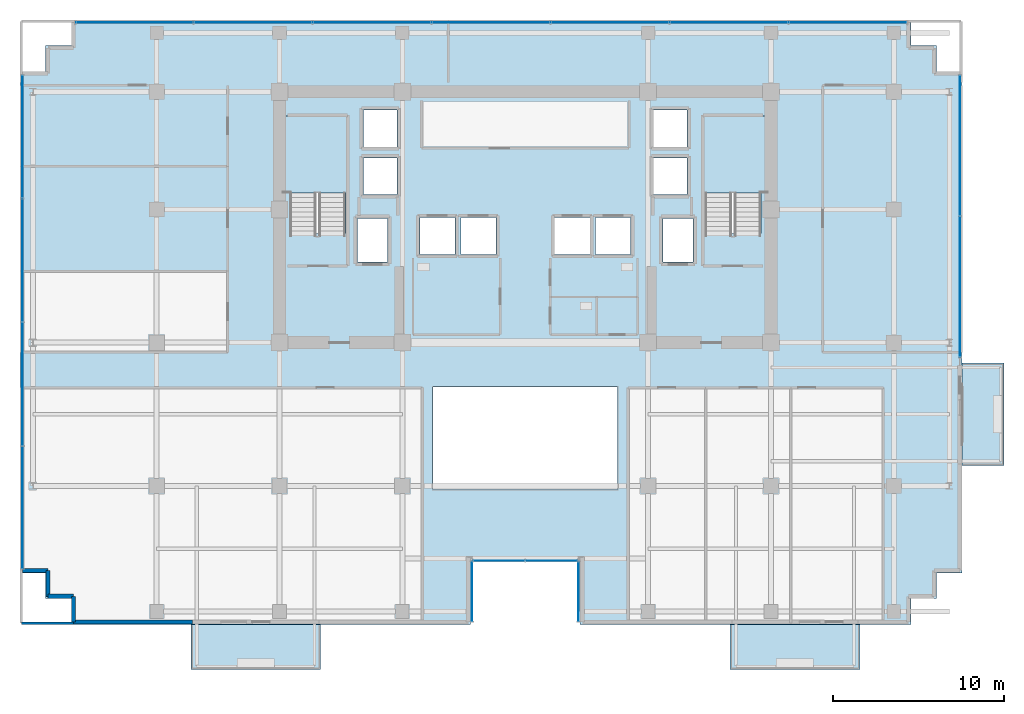
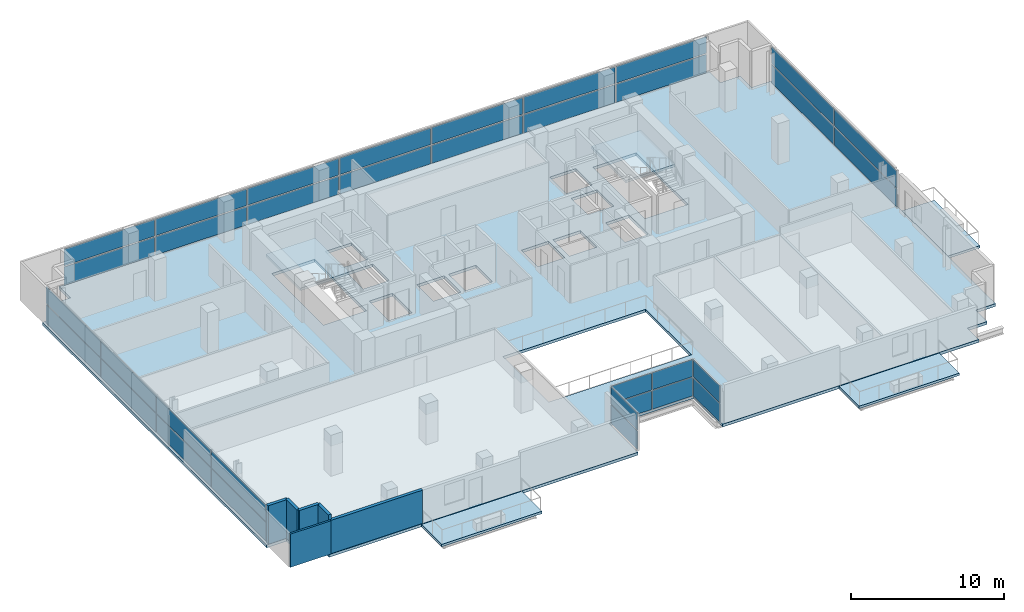
# One storey, part 18 of 27: 34 plates, 6 slabs, 6 walls, 8 elements without a shape of their own.
"""IFC4 building model written with IfcOpenShell, lengths in metres."""

from ifc_helpers import new_model, si_unit, direction, frame, frame_2d, origin, origin_2d, place, context, subcontext, project, spatial, polyline, rectangle, outline, extrude, source, transform, mapped, material, layer, layer_set, type_object, element, aggregate, save


model = new_model("IFC4")

# Units and contexts
model_context = context("Model", 3, precision=1e-05, world=origin(), true_north=direction((0.0, 1.0)))
body_context = subcontext(model_context, "Body", "Model", "MODEL_VIEW")
ifc_project = project(units=[si_unit("LENGTHUNIT", "METRE"), si_unit("AREAUNIT", "SQUARE_METRE"), si_unit("VOLUMEUNIT", "CUBIC_METRE"), si_unit("PLANEANGLEUNIT", "RADIAN"), si_unit("MASSUNIT", "GRAM", prefix="KILO")], contexts=[model_context])

# Site, building, storey
site_placement = place(None, origin())
site = spatial("IfcSite", under=ifc_project, at=site_placement, CompositionType="ELEMENT")
building_placement = place(site_placement, origin())
building = spatial("IfcBuilding", under=site, at=building_placement, Name="Zarnakvel Exchange Tower", CompositionType="ELEMENT")
storey_placement = place(building_placement, frame((0.0, 0.0, 106.60009765625)))
storey = spatial("IfcBuildingStorey", under=building, at=storey_placement, Name="L29", CompositionType="ELEMENT", Elevation=106.60009765625)

# Stair, slab
ifc_material_1 = material(Name="Concrete C40/50", Category="concrete")
stair_type = type_object("IfcStairType", Name="STR-01", PredefinedType="HALF_TURN_STAIR", material=ifc_material_1)
stair_1_placement = place(storey_placement, origin())
stair_1 = element("IfcStair", 1, at=stair_1_placement, inside=storey, type_object=stair_type, Name="L29 Protected Core Exit Stair ST-01", PredefinedType="HALF_TURN_STAIR")
ifc_layer_1 = layer(ifc_material_1, 0.199951171875)
ifc_layer_set_1 = layer_set([ifc_layer_1], Name="Concrete C40/50")
slab_type_1 = type_object("IfcSlabType", Name="LDG-01", PredefinedType="LANDING", material=ifc_layer_set_1)
slab_1_placement = place(storey_placement, frame((0.0, 0.0, 1.449951171875)))
slab_1 = element("IfcSlab", 2, at=slab_1_placement, type_object=slab_type_1, Name="ST-01 landing 1", PredefinedType="LANDING", context=body_context, shape_type="SweptSolid", body=[
    extrude(outline(polyline([(-14.18994140625, 7.570068359375), (-10.4599609375, 7.570068359375), (-10.4599609375, 12.080078125), (-14.18994140625, 12.080078125), (-14.18994140625, 7.570068359375)])), origin(), (0.0, 0.0, 1.0), 0.199951171875),
])
aggregate(stair_1, [slab_1])

stair_2_placement = place(storey_placement, origin())
stair_2 = element("IfcStair", 3, at=stair_2_placement, inside=storey, type_object=stair_type, Name="L29 Protected Core Exit Stair ST-02", PredefinedType="HALF_TURN_STAIR")
slab_2_placement = place(storey_placement, frame((0.0, 0.0, 1.449951171875)))
slab_2 = element("IfcSlab", 4, at=slab_2_placement, type_object=slab_type_1, Name="ST-02 landing 1", PredefinedType="LANDING", context=body_context, shape_type="SweptSolid", body=[
    extrude(outline(polyline([(10.4599609375, 7.570068359375), (14.18994140625, 7.570068359375), (14.18994140625, 12.080078125), (10.4599609375, 12.080078125), (10.4599609375, 7.570068359375)])), origin(), (0.0, 0.0, 1.0), 0.199951171875),
])
aggregate(stair_2, [slab_2])

# Slabs
ifc_layer_2 = layer(ifc_material_1, 0.22509765625)
ifc_layer_set_2 = layer_set([ifc_layer_2], Name="Concrete C40/50")
slab_type_2 = type_object("IfcSlabType", Name="SL-04", PredefinedType="FLOOR", material=ifc_layer_set_2)
slab_3_placement = place(storey_placement, frame((0.0, 0.0, -0.22509765625)))
element("IfcSlab", 5, at=slab_3_placement, inside=storey, type_object=slab_type_2, Name="L29 Primary Structural Floor Slab", PredefinedType="FLOOR", context=body_context, shape_type="SweptSolid", body=[
    extrude(outline(polyline([(-29.60009765625, -14.699951171875), (-28.10009765625, -14.699951171875), (-28.10009765625, -16.199951171875), (-26.60009765625, -16.199951171875), (-26.60009765625, -17.699951171875), (-3.199951171875, -17.699951171875), (-3.199951171875, -13.89990234375), (3.199951171875, -13.89990234375), (3.199951171875, -17.699951171875), (22.60009765625, -17.699951171875), (22.60009765625, -16.199951171875), (24.10009765625, -16.199951171875), (24.10009765625, -14.699951171875), (25.60009765625, -14.699951171875), (25.60009765625, 14.699951171875), (24.10009765625, 14.699951171875), (24.10009765625, 16.199951171875), (22.60009765625, 16.199951171875), (22.60009765625, 17.699951171875), (-26.60009765625, 17.699951171875), (-26.60009765625, 16.199951171875), (-28.10009765625, 16.199951171875), (-28.10009765625, 14.699951171875), (-29.60009765625, 14.699951171875), (-29.60009765625, -14.699951171875)]), holes=[polyline([(-5.39990234375, -9.800048828125), (5.39990234375, -9.800048828125), (5.39990234375, -3.800048828125), (-5.39990234375, -3.800048828125), (-5.39990234375, -9.800048828125)]), polyline([(-13.800048828125, 5.2099609375), (-10.5400390625, 5.2099609375), (-10.5400390625, 12.0), (-13.800048828125, 12.0), (-13.800048828125, 5.2099609375)]), polyline([(10.5400390625, 5.2099609375), (13.800048828125, 5.2099609375), (13.800048828125, 12.0), (10.5400390625, 12.0), (10.5400390625, 5.2099609375)]), polyline([(-9.830078125, 3.52001953125), (-8.070068359375, 3.52001953125), (-8.070068359375, 6.080078125), (-9.830078125, 6.080078125), (-9.830078125, 3.52001953125)]), polyline([(8.070068359375, 3.52001953125), (9.830078125, 3.52001953125), (9.830078125, 6.080078125), (8.070068359375, 6.080078125), (8.070068359375, 3.52001953125)]), polyline([(-6.179931640625, 3.969970703125), (-4.1201171875, 3.969970703125), (-4.1201171875, 6.1298828125), (-6.179931640625, 6.1298828125), (-6.179931640625, 3.969970703125)]), polyline([(-3.780029296875, 3.969970703125), (-1.719970703125, 3.969970703125), (-1.719970703125, 6.1298828125), (-3.780029296875, 6.1298828125), (-3.780029296875, 3.969970703125)]), polyline([(1.719970703125, 3.969970703125), (3.780029296875, 3.969970703125), (3.780029296875, 6.1298828125), (1.719970703125, 6.1298828125), (1.719970703125, 3.969970703125)]), polyline([(4.1201171875, 3.969970703125), (6.179931640625, 3.969970703125), (6.179931640625, 6.1298828125), (4.1201171875, 6.1298828125), (4.1201171875, 3.969970703125)]), polyline([(-9.47998046875, 7.469970703125), (-7.52001953125, 7.469970703125), (-7.52001953125, 9.6298828125), (-9.47998046875, 9.6298828125), (-9.47998046875, 7.469970703125)]), polyline([(-9.47998046875, 10.27001953125), (-7.52001953125, 10.27001953125), (-7.52001953125, 12.429931640625), (-9.47998046875, 12.429931640625), (-9.47998046875, 10.27001953125)]), polyline([(7.52001953125, 7.469970703125), (9.47998046875, 7.469970703125), (9.47998046875, 9.6298828125), (7.52001953125, 9.6298828125), (7.52001953125, 7.469970703125)]), polyline([(7.52001953125, 10.27001953125), (9.47998046875, 10.27001953125), (9.47998046875, 12.429931640625), (7.52001953125, 12.429931640625), (7.52001953125, 10.27001953125)])]), origin(), (0.0, 0.0, 1.0), 0.22509765625),
])
ifc_layer_3 = layer(ifc_material_1, 0.18994140625)
ifc_layer_set_3 = layer_set([ifc_layer_3], Name="Concrete C40/50")
slab_type_3 = type_object("IfcSlabType", Name="SL-08", PredefinedType="USERDEFINED", material=ifc_layer_set_3)
slab_4_placement = place(storey_placement, frame((0.0, 0.0, -0.22509765625)))
element("IfcSlab", 6, at=slab_4_placement, inside=storey, type_object=slab_type_3, Name="L29 Planted Loggia Balcony Slab BAL-L29-SW", ObjectType="BALCONY", PredefinedType="USERDEFINED", context=body_context, shape_type="SweptSolid", body=[
    extrude(outline(polyline([(-19.60009765625, -20.35009765625), (-12.0, -20.35009765625), (-12.0, -17.699951171875), (-19.60009765625, -17.699951171875), (-19.60009765625, -20.35009765625)])), origin(), (0.0, 0.0, 1.0), 0.18994140625),
])
slab_5_placement = place(storey_placement, frame((0.0, 0.0, -0.22509765625)))
element("IfcSlab", 7, at=slab_5_placement, inside=storey, type_object=slab_type_3, Name="L29 Planted Loggia Balcony Slab BAL-L29-SE", ObjectType="BALCONY", PredefinedType="USERDEFINED", context=body_context, shape_type="SweptSolid", body=[
    extrude(outline(polyline([(12.0, -20.35009765625), (19.60009765625, -20.35009765625), (19.60009765625, -17.699951171875), (12.0, -17.699951171875), (12.0, -20.35009765625)])), origin(), (0.0, 0.0, 1.0), 0.18994140625),
])
slab_6_placement = place(storey_placement, frame((0.0, 0.0, -0.22509765625)))
element("IfcSlab", 8, at=slab_6_placement, inside=storey, type_object=slab_type_3, Name="L29 Planted Loggia Balcony Slab BAL-L29-E", ObjectType="BALCONY", PredefinedType="USERDEFINED", context=body_context, shape_type="SweptSolid", body=[
    extrude(outline(polyline([(25.60009765625, -8.39990234375), (28.050048828125, -8.39990234375), (28.050048828125, -2.39990234375), (25.60009765625, -2.39990234375), (25.60009765625, -8.39990234375)])), origin(), (0.0, 0.0, 1.0), 0.18994140625),
])

# Curtain wall, plate
ifc_material_2 = material(Name="Architectural Bronze Anodised Aluminium", Category="aluminium")
ifc_layer_4 = layer(ifc_material_2, 0.179931640625)
ifc_layer_set_4 = layer_set([ifc_layer_4], Name="Architectural Bronze Anodised Aluminium")
curtain_wall_type_1 = type_object("IfcCurtainWallType", Name="CW-05", PredefinedType="NOTDEFINED", material=ifc_layer_set_4)
curtain_wall_1_placement = place(storey_placement, origin())
curtain_wall_1 = element("IfcCurtainWall", 9, at=curtain_wall_1_placement, inside=storey, type_object=curtain_wall_type_1, Name="L29 Curtain Wall CW-L29-SLW (CW-05)", PredefinedType="NOTDEFINED")
ifc_material_3 = material(Name="Double Low-E Laminated Vision Glass", Category="glass")
ifc_layer_5 = layer(ifc_material_3, 0.02587890625)
ifc_layer_set_5 = layer_set([ifc_layer_5], Name="Double Low-E Laminated Vision Glass")
plate_type_1 = type_object("IfcPlateType", Name="CWP-05", PredefinedType="CURTAIN_PANEL", material=ifc_layer_set_5)
shared_shape_1 = source(origin(), body_context, "Body", "SweptSolid", [
    extrude(rectangle(XDim=3.4599609375, YDim=0.02587890625, at=origin_2d()), origin(), (0.0, 0.0, 1.0), 1.483642578125),
])
plate_1_placement = place(storey_placement, frame((-3.1201171875, -15.780029296875, 0.06982421875), z_axis=(0.0, 0.0, 1.0), x_axis=(0.0, 1.0, 0.0)))
plate_1 = element("IfcPlate", 10, at=plate_1_placement, type_object=plate_type_1, Name="CW-05 panel 1.1", PredefinedType="CURTAIN_PANEL", context=body_context, shape_type="MappedRepresentation", body=[
    mapped(shared_shape_1, transform((0.0, 0.0, 0.0), x_axis=(1.0, 0.0, 0.0), y_axis=(0.0, 1.0, 0.0), z_axis=(0.0, 0.0, 1.0), scale=1.0)),
])

curtain_wall_2_placement = place(storey_placement, origin())
curtain_wall_2 = element("IfcCurtainWall", 11, at=curtain_wall_2_placement, inside=storey, type_object=curtain_wall_type_1, Name="L29 Curtain Wall CW-L29-SLE (CW-05)", PredefinedType="NOTDEFINED")
plate_2_placement = place(storey_placement, frame((3.1201171875, -15.780029296875, 0.06982421875), z_axis=(0.0, 0.0, 1.0), x_axis=(0.0, -1.0, 0.0)))
plate_2 = element("IfcPlate", 12, at=plate_2_placement, type_object=plate_type_1, Name="CW-05 panel 1.1", PredefinedType="CURTAIN_PANEL", context=body_context, shape_type="MappedRepresentation", body=[
    mapped(shared_shape_1, transform((0.0, 0.0, 0.0), x_axis=(1.0, 0.0, 0.0), y_axis=(0.0, 1.0, 0.0), z_axis=(0.0, 0.0, 1.0), scale=1.0)),
])

# Plate
shared_shape_2 = source(origin(), body_context, "Body", "SweptSolid", [
    extrude(rectangle(XDim=3.4599609375, YDim=0.02587890625, at=origin_2d()), origin(), (0.0, 0.0, 1.0), 1.361328125),
])
plate_3_placement = place(storey_placement, frame((-3.1201171875, -15.780029296875, 1.62353515625), z_axis=(0.0, 0.0, 1.0), x_axis=(0.0, 1.0, 0.0)))
plate_3 = element("IfcPlate", 13, at=plate_3_placement, type_object=plate_type_1, Name="CW-05 panel 1.2", PredefinedType="CURTAIN_PANEL", context=body_context, shape_type="MappedRepresentation", body=[
    mapped(shared_shape_2, transform((0.0, 0.0, 0.0), x_axis=(1.0, 0.0, 0.0), y_axis=(0.0, 1.0, 0.0), z_axis=(0.0, 0.0, 1.0), scale=1.0)),
])

aggregate(curtain_wall_1, [plate_1, plate_3])

plate_4_placement = place(storey_placement, frame((3.1201171875, -15.780029296875, 1.62353515625), z_axis=(0.0, 0.0, 1.0), x_axis=(0.0, -1.0, 0.0)))
plate_4 = element("IfcPlate", 14, at=plate_4_placement, type_object=plate_type_1, Name="CW-05 panel 1.2", PredefinedType="CURTAIN_PANEL", context=body_context, shape_type="MappedRepresentation", body=[
    mapped(shared_shape_2, transform((0.0, 0.0, 0.0), x_axis=(1.0, 0.0, 0.0), y_axis=(0.0, 1.0, 0.0), z_axis=(0.0, 0.0, 1.0), scale=1.0)),
])

aggregate(curtain_wall_2, [plate_2, plate_4])

# Curtain wall, plates
curtain_wall_3_placement = place(storey_placement, origin())
curtain_wall_3 = element("IfcCurtainWall", 15, at=curtain_wall_3_placement, inside=storey, type_object=curtain_wall_type_1, Name="L29 Curtain Wall CW-L29-SLB (CW-05)", PredefinedType="NOTDEFINED")
shared_shape_3 = source(origin(), body_context, "Body", "SweptSolid", [
    extrude(rectangle(XDim=3.014892578125, YDim=0.02587890625, at=origin_2d()), origin(), (0.0, 0.0, 1.0), 1.483642578125),
])
plate_5_placement = place(storey_placement, frame((-1.54248046875, -13.97998046875, 0.06982421875), z_axis=(0.0, 0.0, 1.0), x_axis=(1.0, 0.0, 0.0)))
plate_5 = element("IfcPlate", 16, at=plate_5_placement, type_object=plate_type_1, Name="CW-05 panel 1.1", PredefinedType="CURTAIN_PANEL", context=body_context, shape_type="MappedRepresentation", body=[
    mapped(shared_shape_3, transform((0.0, 0.0, 0.0), x_axis=(1.0, 0.0, 0.0), y_axis=(0.0, 1.0, 0.0), z_axis=(0.0, 0.0, 1.0), scale=1.0)),
])
plate_6_placement = place(storey_placement, frame((1.54248046875, -13.97998046875, 0.06982421875), z_axis=(0.0, 0.0, 1.0), x_axis=(1.0, 0.0, 0.0)))
plate_6 = element("IfcPlate", 17, at=plate_6_placement, type_object=plate_type_1, Name="CW-05 panel 2.1", PredefinedType="CURTAIN_PANEL", context=body_context, shape_type="MappedRepresentation", body=[
    mapped(shared_shape_3, transform((0.0, 0.0, 0.0), x_axis=(1.0, 0.0, 0.0), y_axis=(0.0, 1.0, 0.0), z_axis=(0.0, 0.0, 1.0), scale=1.0)),
])
shared_shape_4 = source(origin(), body_context, "Body", "SweptSolid", [
    extrude(rectangle(XDim=3.014892578125, YDim=0.02587890625, at=origin_2d()), origin(), (0.0, 0.0, 1.0), 1.361328125),
])
plate_7_placement = place(storey_placement, frame((-1.54248046875, -13.97998046875, 1.62353515625), z_axis=(0.0, 0.0, 1.0), x_axis=(1.0, 0.0, 0.0)))
plate_7 = element("IfcPlate", 18, at=plate_7_placement, type_object=plate_type_1, Name="CW-05 panel 1.2", PredefinedType="CURTAIN_PANEL", context=body_context, shape_type="MappedRepresentation", body=[
    mapped(shared_shape_4, transform((0.0, 0.0, 0.0), x_axis=(1.0, 0.0, 0.0), y_axis=(0.0, 1.0, 0.0), z_axis=(0.0, 0.0, 1.0), scale=1.0)),
])
plate_8_placement = place(storey_placement, frame((1.54248046875, -13.97998046875, 1.62353515625), z_axis=(0.0, 0.0, 1.0), x_axis=(1.0, 0.0, 0.0)))
plate_8 = element("IfcPlate", 19, at=plate_8_placement, type_object=plate_type_1, Name="CW-05 panel 2.2", PredefinedType="CURTAIN_PANEL", context=body_context, shape_type="MappedRepresentation", body=[
    mapped(shared_shape_4, transform((0.0, 0.0, 0.0), x_axis=(1.0, 0.0, 0.0), y_axis=(0.0, 1.0, 0.0), z_axis=(0.0, 0.0, 1.0), scale=1.0)),
])
aggregate(curtain_wall_3, [plate_5, plate_7, plate_6, plate_8])

ifc_layer_6 = layer(ifc_material_2, 0.199951171875)
ifc_layer_set_6 = layer_set([ifc_layer_6], Name="Architectural Bronze Anodised Aluminium")
curtain_wall_type_2 = type_object("IfcCurtainWallType", Name="CW-04", PredefinedType="NOTDEFINED", material=ifc_layer_set_6)
curtain_wall_4_placement = place(storey_placement, origin())
curtain_wall_4 = element("IfcCurtainWall", 20, at=curtain_wall_4_placement, inside=storey, type_object=curtain_wall_type_2, Name="L29 Curtain Wall CW-L29-W1 (CW-04)", PredefinedType="NOTDEFINED")
ifc_layer_7 = layer(ifc_material_3, 0.028076171875)
ifc_layer_set_7 = layer_set([ifc_layer_7], Name="Double Low-E Laminated Vision Glass")
plate_type_2 = type_object("IfcPlateType", Name="CWP-04", PredefinedType="CURTAIN_PANEL", material=ifc_layer_set_7)
shared_shape_5 = source(origin(), body_context, "Body", "SweptSolid", [
    extrude(rectangle(XDim=7.137451171875, YDim=0.028076171875, at=origin_2d()), origin(), (0.0, 0.0, 1.0), 1.47607421875),
])
plate_9_placement = place(storey_placement, frame((-29.4599609375, -10.856201171875, 0.074951171875), z_axis=(0.0, 0.0, 1.0), x_axis=(0.0, 1.0, 0.0)))
plate_9 = element("IfcPlate", 21, at=plate_9_placement, type_object=plate_type_2, Name="CW-04 panel 1.1", PredefinedType="CURTAIN_PANEL", context=body_context, shape_type="MappedRepresentation", body=[
    mapped(shared_shape_5, transform((0.0, 0.0, 0.0), x_axis=(1.0, 0.0, 0.0), y_axis=(0.0, 1.0, 0.0), z_axis=(0.0, 0.0, 1.0), scale=1.0)),
])
plate_10_placement = place(storey_placement, frame((-29.4599609375, 10.856201171875, 0.074951171875), z_axis=(0.0, 0.0, 1.0), x_axis=(0.0, 1.0, 0.0)))
plate_10 = element("IfcPlate", 22, at=plate_10_placement, type_object=plate_type_2, Name="CW-04 panel 4.1", PredefinedType="CURTAIN_PANEL", context=body_context, shape_type="MappedRepresentation", body=[
    mapped(shared_shape_5, transform((0.0, 0.0, 0.0), x_axis=(1.0, 0.0, 0.0), y_axis=(0.0, 1.0, 0.0), z_axis=(0.0, 0.0, 1.0), scale=1.0)),
])
shared_shape_6 = source(origin(), body_context, "Body", "SweptSolid", [
    extrude(rectangle(XDim=7.137451171875, YDim=0.028076171875, at=origin_2d()), origin(), (0.0, 0.0, 1.0), 1.35400390625),
])
plate_11_placement = place(storey_placement, frame((-29.4599609375, -10.856201171875, 1.6259765625), z_axis=(0.0, 0.0, 1.0), x_axis=(0.0, 1.0, 0.0)))
plate_11 = element("IfcPlate", 23, at=plate_11_placement, type_object=plate_type_2, Name="CW-04 panel 1.2", PredefinedType="CURTAIN_PANEL", context=body_context, shape_type="MappedRepresentation", body=[
    mapped(shared_shape_6, transform((0.0, 0.0, 0.0), x_axis=(1.0, 0.0, 0.0), y_axis=(0.0, 1.0, 0.0), z_axis=(0.0, 0.0, 1.0), scale=1.0)),
])
plate_12_placement = place(storey_placement, frame((-29.4599609375, 10.856201171875, 1.6259765625), z_axis=(0.0, 0.0, 1.0), x_axis=(0.0, 1.0, 0.0)))
plate_12 = element("IfcPlate", 24, at=plate_12_placement, type_object=plate_type_2, Name="CW-04 panel 4.2", PredefinedType="CURTAIN_PANEL", context=body_context, shape_type="MappedRepresentation", body=[
    mapped(shared_shape_6, transform((0.0, 0.0, 0.0), x_axis=(1.0, 0.0, 0.0), y_axis=(0.0, 1.0, 0.0), z_axis=(0.0, 0.0, 1.0), scale=1.0)),
])
shared_shape_7 = source(origin(), body_context, "Body", "SweptSolid", [
    extrude(rectangle(XDim=7.175048828125, YDim=0.028076171875, at=origin_2d()), origin(), (0.0, 0.0, 1.0), 1.47607421875),
])
plate_13_placement = place(storey_placement, frame((-29.4599609375, -3.625, 0.074951171875), z_axis=(0.0, 0.0, 1.0), x_axis=(0.0, 1.0, 0.0)))
plate_13 = element("IfcPlate", 25, at=plate_13_placement, type_object=plate_type_2, Name="CW-04 panel 2.1", PredefinedType="CURTAIN_PANEL", context=body_context, shape_type="MappedRepresentation", body=[
    mapped(shared_shape_7, transform((0.0, 0.0, 0.0), x_axis=(1.0, 0.0, 0.0), y_axis=(0.0, 1.0, 0.0), z_axis=(0.0, 0.0, 1.0), scale=1.0)),
])
plate_14_placement = place(storey_placement, frame((-29.4599609375, 3.625, 0.074951171875), z_axis=(0.0, 0.0, 1.0), x_axis=(0.0, 1.0, 0.0)))
plate_14 = element("IfcPlate", 26, at=plate_14_placement, type_object=plate_type_2, Name="CW-04 panel 3.1", PredefinedType="CURTAIN_PANEL", context=body_context, shape_type="MappedRepresentation", body=[
    mapped(shared_shape_7, transform((0.0, 0.0, 0.0), x_axis=(1.0, 0.0, 0.0), y_axis=(0.0, 1.0, 0.0), z_axis=(0.0, 0.0, 1.0), scale=1.0)),
])
shared_shape_8 = source(origin(), body_context, "Body", "SweptSolid", [
    extrude(rectangle(XDim=7.175048828125, YDim=0.028076171875, at=origin_2d()), origin(), (0.0, 0.0, 1.0), 1.35400390625),
])
plate_15_placement = place(storey_placement, frame((-29.4599609375, -3.625, 1.6259765625), z_axis=(0.0, 0.0, 1.0), x_axis=(0.0, 1.0, 0.0)))
plate_15 = element("IfcPlate", 27, at=plate_15_placement, type_object=plate_type_2, Name="CW-04 panel 2.2", PredefinedType="CURTAIN_PANEL", context=body_context, shape_type="MappedRepresentation", body=[
    mapped(shared_shape_8, transform((0.0, 0.0, 0.0), x_axis=(1.0, 0.0, 0.0), y_axis=(0.0, 1.0, 0.0), z_axis=(0.0, 0.0, 1.0), scale=1.0)),
])
plate_16_placement = place(storey_placement, frame((-29.4599609375, 3.625, 1.6259765625), z_axis=(0.0, 0.0, 1.0), x_axis=(0.0, 1.0, 0.0)))
plate_16 = element("IfcPlate", 28, at=plate_16_placement, type_object=plate_type_2, Name="CW-04 panel 3.2", PredefinedType="CURTAIN_PANEL", context=body_context, shape_type="MappedRepresentation", body=[
    mapped(shared_shape_8, transform((0.0, 0.0, 0.0), x_axis=(1.0, 0.0, 0.0), y_axis=(0.0, 1.0, 0.0), z_axis=(0.0, 0.0, 1.0), scale=1.0)),
])
aggregate(curtain_wall_4, [plate_9, plate_11, plate_13, plate_15, plate_14, plate_16, plate_10, plate_12])

curtain_wall_5_placement = place(storey_placement, origin())
curtain_wall_5 = element("IfcCurtainWall", 29, at=curtain_wall_5_placement, inside=storey, type_object=curtain_wall_type_2, Name="L29 Curtain Wall CW-L29-EN (CW-04)", PredefinedType="NOTDEFINED")
shared_shape_9 = source(origin(), body_context, "Body", "SweptSolid", [
    extrude(rectangle(XDim=8.1875, YDim=0.028076171875, at=origin_2d()), origin(), (0.0, 0.0, 1.0), 1.47607421875),
])
plate_17_placement = place(storey_placement, frame((25.4599609375, 2.06884765625, 0.074951171875), z_axis=(0.0, 0.0, 1.0), x_axis=(0.0, 1.0, 0.0)))
plate_17 = element("IfcPlate", 30, at=plate_17_placement, type_object=plate_type_2, Name="CW-04 panel 1.1", PredefinedType="CURTAIN_PANEL", context=body_context, shape_type="MappedRepresentation", body=[
    mapped(shared_shape_9, transform((0.0, 0.0, 0.0), x_axis=(1.0, 0.0, 0.0), y_axis=(0.0, 1.0, 0.0), z_axis=(0.0, 0.0, 1.0), scale=1.0)),
])
plate_18_placement = place(storey_placement, frame((25.4599609375, 10.331298828125, 0.074951171875), z_axis=(0.0, 0.0, 1.0), x_axis=(0.0, 1.0, 0.0)))
plate_18 = element("IfcPlate", 31, at=plate_18_placement, type_object=plate_type_2, Name="CW-04 panel 2.1", PredefinedType="CURTAIN_PANEL", context=body_context, shape_type="MappedRepresentation", body=[
    mapped(shared_shape_9, transform((0.0, 0.0, 0.0), x_axis=(1.0, 0.0, 0.0), y_axis=(0.0, 1.0, 0.0), z_axis=(0.0, 0.0, 1.0), scale=1.0)),
])
shared_shape_10 = source(origin(), body_context, "Body", "SweptSolid", [
    extrude(rectangle(XDim=8.1875, YDim=0.028076171875, at=origin_2d()), origin(), (0.0, 0.0, 1.0), 1.35400390625),
])
plate_19_placement = place(storey_placement, frame((25.4599609375, 2.06884765625, 1.6259765625), z_axis=(0.0, 0.0, 1.0), x_axis=(0.0, 1.0, 0.0)))
plate_19 = element("IfcPlate", 32, at=plate_19_placement, type_object=plate_type_2, Name="CW-04 panel 1.2", PredefinedType="CURTAIN_PANEL", context=body_context, shape_type="MappedRepresentation", body=[
    mapped(shared_shape_10, transform((0.0, 0.0, 0.0), x_axis=(1.0, 0.0, 0.0), y_axis=(0.0, 1.0, 0.0), z_axis=(0.0, 0.0, 1.0), scale=1.0)),
])
plate_20_placement = place(storey_placement, frame((25.4599609375, 10.331298828125, 1.6259765625), z_axis=(0.0, 0.0, 1.0), x_axis=(0.0, 1.0, 0.0)))
plate_20 = element("IfcPlate", 33, at=plate_20_placement, type_object=plate_type_2, Name="CW-04 panel 2.2", PredefinedType="CURTAIN_PANEL", context=body_context, shape_type="MappedRepresentation", body=[
    mapped(shared_shape_10, transform((0.0, 0.0, 0.0), x_axis=(1.0, 0.0, 0.0), y_axis=(0.0, 1.0, 0.0), z_axis=(0.0, 0.0, 1.0), scale=1.0)),
])
aggregate(curtain_wall_5, [plate_17, plate_19, plate_18, plate_20])

ifc_layer_8 = layer(ifc_material_2, 0.239990234375)
ifc_layer_set_8 = layer_set([ifc_layer_8], Name="Architectural Bronze Anodised Aluminium")
curtain_wall_type_3 = type_object("IfcCurtainWallType", Name="CW-02", PredefinedType="NOTDEFINED", material=ifc_layer_set_8)
curtain_wall_6_placement = place(storey_placement, origin())
curtain_wall_6 = element("IfcCurtainWall", 34, at=curtain_wall_6_placement, inside=storey, type_object=curtain_wall_type_3, Name="L29 Curtain Wall CW-L29-N1 (CW-02)", PredefinedType="NOTDEFINED")
ifc_layer_9 = layer(ifc_material_3, 0.031982421875)
ifc_layer_set_9 = layer_set([ifc_layer_9], Name="Double Low-E Laminated Vision Glass")
plate_type_3 = type_object("IfcPlateType", Name="CWP-02", PredefinedType="CURTAIN_PANEL", material=ifc_layer_set_9)
shared_shape_11 = source(origin(), body_context, "Body", "SweptSolid", [
    extrude(rectangle(XDim=6.83642578125, YDim=0.031982421875, at=origin_2d()), origin(), (0.0, 0.0, 1.0), 1.461181640625),
])
plate_21_placement = place(storey_placement, frame((-22.891845703125, 17.56005859375, 0.0849609375), z_axis=(0.0, 0.0, 1.0), x_axis=(1.0, 0.0, 0.0)))
plate_21 = element("IfcPlate", 35, at=plate_21_placement, type_object=plate_type_3, Name="CW-02 panel 1.1", PredefinedType="CURTAIN_PANEL", context=body_context, shape_type="MappedRepresentation", body=[
    mapped(shared_shape_11, transform((0.0, 0.0, 0.0), x_axis=(1.0, 0.0, 0.0), y_axis=(0.0, 1.0, 0.0), z_axis=(0.0, 0.0, 1.0), scale=1.0)),
])
plate_22_placement = place(storey_placement, frame((18.891845703125, 17.56005859375, 0.0849609375), z_axis=(0.0, 0.0, 1.0), x_axis=(1.0, 0.0, 0.0)))
plate_22 = element("IfcPlate", 36, at=plate_22_placement, type_object=plate_type_3, Name="CW-02 panel 7.1", PredefinedType="CURTAIN_PANEL", context=body_context, shape_type="MappedRepresentation", body=[
    mapped(shared_shape_11, transform((0.0, 0.0, 0.0), x_axis=(1.0, 0.0, 0.0), y_axis=(0.0, 1.0, 0.0), z_axis=(0.0, 0.0, 1.0), scale=1.0)),
])
shared_shape_12 = source(origin(), body_context, "Body", "SweptSolid", [
    extrude(rectangle(XDim=6.83642578125, YDim=0.031982421875, at=origin_2d()), origin(), (0.0, 0.0, 1.0), 1.3388671875),
])
plate_23_placement = place(storey_placement, frame((-22.891845703125, 17.56005859375, 1.631103515625), z_axis=(0.0, 0.0, 1.0), x_axis=(1.0, 0.0, 0.0)))
plate_23 = element("IfcPlate", 37, at=plate_23_placement, type_object=plate_type_3, Name="CW-02 panel 1.2", PredefinedType="CURTAIN_PANEL", context=body_context, shape_type="MappedRepresentation", body=[
    mapped(shared_shape_12, transform((0.0, 0.0, 0.0), x_axis=(1.0, 0.0, 0.0), y_axis=(0.0, 1.0, 0.0), z_axis=(0.0, 0.0, 1.0), scale=1.0)),
])
plate_24_placement = place(storey_placement, frame((18.891845703125, 17.56005859375, 1.631103515625), z_axis=(0.0, 0.0, 1.0), x_axis=(1.0, 0.0, 0.0)))
plate_24 = element("IfcPlate", 38, at=plate_24_placement, type_object=plate_type_3, Name="CW-02 panel 7.2", PredefinedType="CURTAIN_PANEL", context=body_context, shape_type="MappedRepresentation", body=[
    mapped(shared_shape_12, transform((0.0, 0.0, 0.0), x_axis=(1.0, 0.0, 0.0), y_axis=(0.0, 1.0, 0.0), z_axis=(0.0, 0.0, 1.0), scale=1.0)),
])
shared_shape_13 = source(origin(), body_context, "Body", "SweptSolid", [
    extrude(rectangle(XDim=6.88134765625, YDim=0.031982421875, at=origin_2d()), origin(), (0.0, 0.0, 1.0), 1.461181640625),
])
plate_25_placement = place(storey_placement, frame((-15.94287109375, 17.56005859375, 0.0849609375), z_axis=(0.0, 0.0, 1.0), x_axis=(1.0, 0.0, 0.0)))
plate_25 = element("IfcPlate", 39, at=plate_25_placement, type_object=plate_type_3, Name="CW-02 panel 2.1", PredefinedType="CURTAIN_PANEL", context=body_context, shape_type="MappedRepresentation", body=[
    mapped(shared_shape_13, transform((0.0, 0.0, 0.0), x_axis=(1.0, 0.0, 0.0), y_axis=(0.0, 1.0, 0.0), z_axis=(0.0, 0.0, 1.0), scale=1.0)),
])
plate_26_placement = place(storey_placement, frame((-8.971435546875, 17.56005859375, 0.0849609375), z_axis=(0.0, 0.0, 1.0), x_axis=(1.0, 0.0, 0.0)))
plate_26 = element("IfcPlate", 40, at=plate_26_placement, type_object=plate_type_3, Name="CW-02 panel 3.1", PredefinedType="CURTAIN_PANEL", context=body_context, shape_type="MappedRepresentation", body=[
    mapped(shared_shape_13, transform((0.0, 0.0, 0.0), x_axis=(1.0, 0.0, 0.0), y_axis=(0.0, 1.0, 0.0), z_axis=(0.0, 0.0, 1.0), scale=1.0)),
])
plate_27_placement = place(storey_placement, frame((-2.0, 17.56005859375, 0.0849609375), z_axis=(0.0, 0.0, 1.0), x_axis=(1.0, 0.0, 0.0)))
plate_27 = element("IfcPlate", 41, at=plate_27_placement, type_object=plate_type_3, Name="CW-02 panel 4.1", PredefinedType="CURTAIN_PANEL", context=body_context, shape_type="MappedRepresentation", body=[
    mapped(shared_shape_13, transform((0.0, 0.0, 0.0), x_axis=(1.0, 0.0, 0.0), y_axis=(0.0, 1.0, 0.0), z_axis=(0.0, 0.0, 1.0), scale=1.0)),
])
plate_28_placement = place(storey_placement, frame((4.971435546875, 17.56005859375, 0.0849609375), z_axis=(0.0, 0.0, 1.0), x_axis=(1.0, 0.0, 0.0)))
plate_28 = element("IfcPlate", 42, at=plate_28_placement, type_object=plate_type_3, Name="CW-02 panel 5.1", PredefinedType="CURTAIN_PANEL", context=body_context, shape_type="MappedRepresentation", body=[
    mapped(shared_shape_13, transform((0.0, 0.0, 0.0), x_axis=(1.0, 0.0, 0.0), y_axis=(0.0, 1.0, 0.0), z_axis=(0.0, 0.0, 1.0), scale=1.0)),
])
plate_29_placement = place(storey_placement, frame((11.94287109375, 17.56005859375, 0.0849609375), z_axis=(0.0, 0.0, 1.0), x_axis=(1.0, 0.0, 0.0)))
plate_29 = element("IfcPlate", 43, at=plate_29_placement, type_object=plate_type_3, Name="CW-02 panel 6.1", PredefinedType="CURTAIN_PANEL", context=body_context, shape_type="MappedRepresentation", body=[
    mapped(shared_shape_13, transform((0.0, 0.0, 0.0), x_axis=(1.0, 0.0, 0.0), y_axis=(0.0, 1.0, 0.0), z_axis=(0.0, 0.0, 1.0), scale=1.0)),
])
shared_shape_14 = source(origin(), body_context, "Body", "SweptSolid", [
    extrude(rectangle(XDim=6.88134765625, YDim=0.031982421875, at=origin_2d()), origin(), (0.0, 0.0, 1.0), 1.3388671875),
])
plate_30_placement = place(storey_placement, frame((-15.94287109375, 17.56005859375, 1.631103515625), z_axis=(0.0, 0.0, 1.0), x_axis=(1.0, 0.0, 0.0)))
plate_30 = element("IfcPlate", 44, at=plate_30_placement, type_object=plate_type_3, Name="CW-02 panel 2.2", PredefinedType="CURTAIN_PANEL", context=body_context, shape_type="MappedRepresentation", body=[
    mapped(shared_shape_14, transform((0.0, 0.0, 0.0), x_axis=(1.0, 0.0, 0.0), y_axis=(0.0, 1.0, 0.0), z_axis=(0.0, 0.0, 1.0), scale=1.0)),
])
plate_31_placement = place(storey_placement, frame((-8.971435546875, 17.56005859375, 1.631103515625), z_axis=(0.0, 0.0, 1.0), x_axis=(1.0, 0.0, 0.0)))
plate_31 = element("IfcPlate", 45, at=plate_31_placement, type_object=plate_type_3, Name="CW-02 panel 3.2", PredefinedType="CURTAIN_PANEL", context=body_context, shape_type="MappedRepresentation", body=[
    mapped(shared_shape_14, transform((0.0, 0.0, 0.0), x_axis=(1.0, 0.0, 0.0), y_axis=(0.0, 1.0, 0.0), z_axis=(0.0, 0.0, 1.0), scale=1.0)),
])
plate_32_placement = place(storey_placement, frame((-2.0, 17.56005859375, 1.631103515625), z_axis=(0.0, 0.0, 1.0), x_axis=(1.0, 0.0, 0.0)))
plate_32 = element("IfcPlate", 46, at=plate_32_placement, type_object=plate_type_3, Name="CW-02 panel 4.2", PredefinedType="CURTAIN_PANEL", context=body_context, shape_type="MappedRepresentation", body=[
    mapped(shared_shape_14, transform((0.0, 0.0, 0.0), x_axis=(1.0, 0.0, 0.0), y_axis=(0.0, 1.0, 0.0), z_axis=(0.0, 0.0, 1.0), scale=1.0)),
])
plate_33_placement = place(storey_placement, frame((4.971435546875, 17.56005859375, 1.631103515625), z_axis=(0.0, 0.0, 1.0), x_axis=(1.0, 0.0, 0.0)))
plate_33 = element("IfcPlate", 47, at=plate_33_placement, type_object=plate_type_3, Name="CW-02 panel 5.2", PredefinedType="CURTAIN_PANEL", context=body_context, shape_type="MappedRepresentation", body=[
    mapped(shared_shape_14, transform((0.0, 0.0, 0.0), x_axis=(1.0, 0.0, 0.0), y_axis=(0.0, 1.0, 0.0), z_axis=(0.0, 0.0, 1.0), scale=1.0)),
])
plate_34_placement = place(storey_placement, frame((11.94287109375, 17.56005859375, 1.631103515625), z_axis=(0.0, 0.0, 1.0), x_axis=(1.0, 0.0, 0.0)))
plate_34 = element("IfcPlate", 48, at=plate_34_placement, type_object=plate_type_3, Name="CW-02 panel 6.2", PredefinedType="CURTAIN_PANEL", context=body_context, shape_type="MappedRepresentation", body=[
    mapped(shared_shape_14, transform((0.0, 0.0, 0.0), x_axis=(1.0, 0.0, 0.0), y_axis=(0.0, 1.0, 0.0), z_axis=(0.0, 0.0, 1.0), scale=1.0)),
])
aggregate(curtain_wall_6, [plate_21, plate_23, plate_25, plate_30, plate_26, plate_31, plate_27, plate_32, plate_28, plate_33, plate_29, plate_34, plate_22, plate_24])

# Walls
ifc_material_4 = material(Name="Precast concrete C40/50", Category="concrete")
ifc_layer_10 = layer(ifc_material_4, 0.239990234375)
ifc_layer_set_10 = layer_set([ifc_layer_10], Name="Precast concrete C40/50")
wall_type_1 = type_object("IfcWallType", Name="EW-02", PredefinedType="SOLIDWALL", material=ifc_layer_set_10)
wall_1_placement = place(storey_placement, frame((-26.4599609375, -17.56005859375, 0.0), z_axis=(0.0, 0.0, 1.0), x_axis=(1.0, 0.0, 0.0)))
element("IfcWall", 49, at=wall_1_placement, inside=storey, type_object=wall_type_1, Name="L29 Exterior Precast Spandrel Wall EWC-L29-22 (EW-02)", PredefinedType="SOLIDWALL", context=body_context, shape_type="SweptSolid", body=[
    extrude(rectangle(XDim=6.9599609375, YDim=0.239990234375, at=frame_2d((3.47998046875, 0.0))), origin(), (0.0, 0.0, 1.0), 2.664794921875),
])
for number, where, z_axis, x_axis, name in (
    (50, (-26.4599609375, -16.06005859375, 0.0), (0.0, 0.0, 1.0), (0.0, -1.0, 0.0), "L29 Exterior Precast Spandrel Wall EWC-L29-23 (EW-02)"),
    (51, (-27.9599609375, -16.06005859375, 0.0), (0.0, 0.0, 1.0), (1.0, 0.0, 0.0), "L29 Exterior Precast Spandrel Wall EWC-L29-24 (EW-02)"),
    (52, (-27.9599609375, -14.56005859375, 0.0), (0.0, 0.0, 1.0), (0.0, -1.0, 0.0), "L29 Exterior Precast Spandrel Wall EWC-L29-25 (EW-02)"),
    (53, (-29.4599609375, -14.56005859375, 0.0), (0.0, 0.0, 1.0), (1.0, 0.0, 0.0), "L29 Exterior Precast Spandrel Wall EWC-L29-26 (EW-02)"),
):
    element("IfcWall", number, at=place(storey_placement, frame(where, z_axis=z_axis, x_axis=x_axis)), inside=storey, type_object=wall_type_1, Name=name, PredefinedType="SOLIDWALL", context=body_context, shape_type="SweptSolid", body=[
        extrude(rectangle(XDim=1.5, YDim=0.239990234375, at=frame_2d((0.75, 0.0))), origin(), (0.0, 0.0, 1.0), 3.074951171875),
    ])
ifc_material_5 = material(Name="Fire-Rated Gypsum Stud Partition", Category="gypsum")
ifc_layer_11 = layer(ifc_material_5, 0.14990234375)
ifc_layer_set_11 = layer_set([ifc_layer_11], Name="Fire-Rated Gypsum Stud Partition")
wall_type_2 = type_object("IfcWallType", Name="PT-01", PredefinedType="PARTITIONING", material=ifc_layer_set_11)
wall_2_placement = place(storey_placement, frame((-26.4599609375, -17.6298828125, 0.0), z_axis=(0.0, 0.0, 1.0), x_axis=(-1.0, 0.0, 0.0)))
element("IfcWall", 54, at=wall_2_placement, inside=storey, type_object=wall_type_2, Name="L29 Partition Wall PWALL-L29-025 (PT-01)", PredefinedType="PARTITIONING", context=body_context, shape_type="SweptSolid", body=[
    extrude(rectangle(XDim=3.070068359375, YDim=0.14990234375, at=frame_2d((1.53515625, 0.0))), origin(), (0.0, 0.0, 1.0), 2.664794921875),
])

save(model, "model.ifc")
